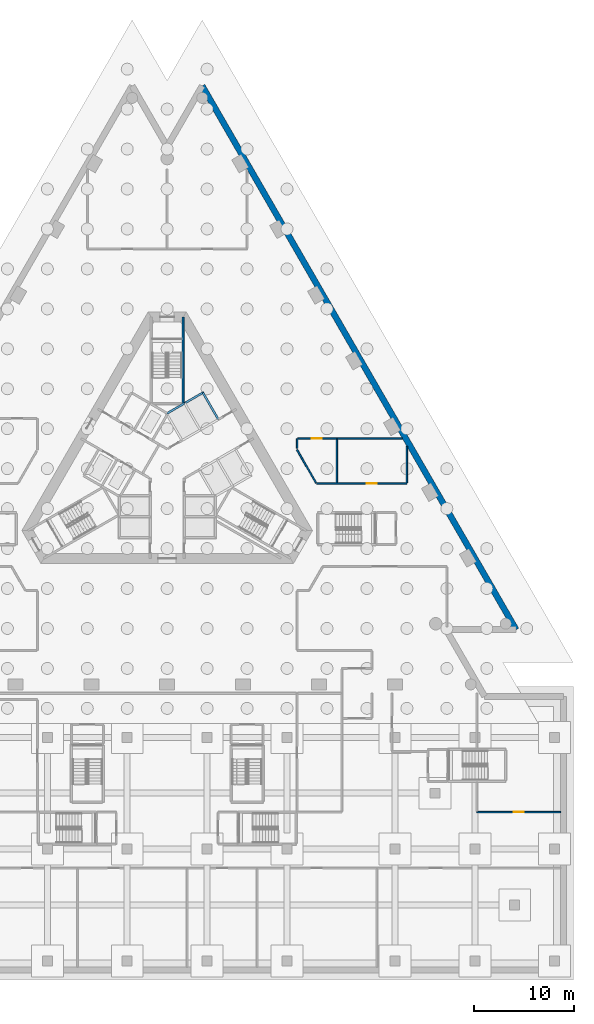
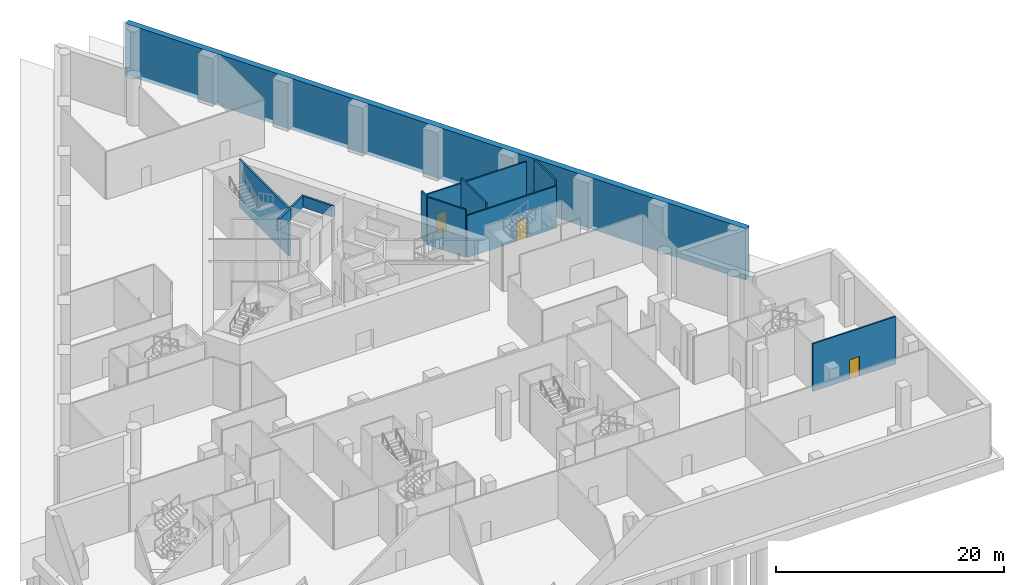
# One storey, part 9 of 20: 12 walls, 3 doors, 3 openings.
"""IFC4 building model written with IfcOpenShell, lengths in metres."""

from ifc_helpers import new_model, si_unit, direction, frame, frame_2d, origin, place, context, subcontext, project, spatial, polyline, rectangle, outline, extrude, material, layer, layer_set, type_object, element, fill, save


model = new_model("IFC4")

# Units and contexts
model_context = context("Model", 3, precision=1e-05, world=origin(), true_north=direction((0.0, 1.0)))
body_context = subcontext(model_context, "Body", "Model", "MODEL_VIEW")
ifc_project = project(units=[si_unit("LENGTHUNIT", "METRE"), si_unit("AREAUNIT", "SQUARE_METRE"), si_unit("VOLUMEUNIT", "CUBIC_METRE"), si_unit("PLANEANGLEUNIT", "RADIAN"), si_unit("MASSUNIT", "GRAM", prefix="KILO")], contexts=[model_context])

# Site, building, storey
site_placement = place(None, origin())
site = spatial("IfcSite", under=ifc_project, at=site_placement, CompositionType="ELEMENT")
building_placement = place(site_placement, origin())
building = spatial("IfcBuilding", under=site, at=building_placement, Name="Triada Interchange Tower", CompositionType="ELEMENT")
storey_placement = place(building_placement, frame((0.0, 0.0, -5.5)))
storey = spatial("IfcBuildingStorey", under=building, at=storey_placement, Name="B1", CompositionType="ELEMENT", Elevation=-5.5)

# Walls
ifc_material_1 = material(Name="Concrete C30/37", Category="concrete")
ifc_layer_1 = layer(ifc_material_1, 0.60009765625)
ifc_layer_set_1 = layer_set([ifc_layer_1], Name="Basement retaining wall 600")
wall_type_1 = type_object("IfcWallType", Name="Basement retaining wall 600", PredefinedType="SOLIDWALL", material=ifc_layer_set_1)
wall_1_placement = place(storey_placement, frame((34.944091796875, -16.125, -0.39990234375), z_axis=(0.0, 0.0, 1.0), x_axis=(-0.500003790369, 0.866023215403, 0.0)))
element("IfcWall", 1, at=wall_1_placement, inside=storey, type_object=wall_type_1, Name="Retaining wall 05", PredefinedType="SOLIDWALL", context=body_context, shape_type="SweptSolid", body=[
    extrude(rectangle(XDim=62.87353515625, YDim=0.60009765625, at=frame_2d((31.436767578125, 0.0))), origin(), (0.0, 0.0, 1.0), 5.5),
])
ifc_layer_2 = layer(ifc_material_1, 0.199951171875)
ifc_layer_set_2 = layer_set([ifc_layer_2], Name="CORE WALL 200 EI 120")
wall_type_2 = type_object("IfcWallType", Name="CORE WALL 200 EI 120", PredefinedType="SOLIDWALL", material=ifc_layer_set_2)
wall_2_placement = place(storey_placement, frame((1.757080078125, 6.556884765625, 3.89990234375), z_axis=(0.0, 0.0, 1.0), x_axis=(-0.866117845619, -0.499839851853, 0.0)))
element("IfcWall", 2, at=wall_2_placement, inside=storey, type_object=wall_type_2, Name="Pit wall LR5 4", PredefinedType="SOLIDWALL", context=body_context, shape_type="SweptSolid", body=[
    extrude(outline(polyline([(2.0, 0.10009765625), (2.0, 0.10009765625), (2.0, 0.10009765625), (2.0, 0.10009765625), (2.0, 0.10009765625), (2.0, 0.10009765625), (2.0, 0.10009765625), (2.0, 0.10009765625), (2.0, 0.10009765625), (2.0, 0.10009765625), (2.199951171875, -0.10009765625), (1.05029296875, -0.10009765625), (-0.09912109375, -0.10009765625), (0.10009765625, 0.10009765625), (0.10009765625, 0.10009765625), (0.10009765625, 0.10009765625), (0.10009765625, 0.10009765625), (0.10009765625, 0.10009765625), (0.10009765625, 0.10009765625), (0.10009765625, 0.10009765625), (0.10009765625, 0.10009765625), (0.10009765625, 0.10009765625), (2.0, 0.10009765625)])), origin(), (0.0, 0.0, 1.0), 1.2001953125),
])
wall_3_placement = place(storey_placement, frame((5.1259765625, 4.922119140625, 3.89990234375), z_axis=(0.0, 0.0, 1.0), x_axis=(-0.49999285859, 0.86602952684, 0.0)))
element("IfcWall", 3, at=wall_3_placement, inside=storey, type_object=wall_type_2, Name="Pit wall LR6 3", PredefinedType="SOLIDWALL", context=body_context, shape_type="SweptSolid", body=[
    extrude(outline(polyline([(3.0, 0.10009765625), (3.199951171875, -0.10009765625), (1.55029296875, -0.10009765625), (-0.09912109375, -0.10009765625), (0.10009765625, 0.10009765625), (0.10009765625, 0.10009765625), (0.10009765625, 0.10009765625), (0.10009765625, 0.10009765625), (0.10009765625, 0.10009765625), (0.10009765625, 0.10009765625), (0.10009765625, 0.10009765625), (0.10107421875, 0.10009765625), (0.10107421875, 0.10009765625), (0.10107421875, 0.10009765625), (1.550537109375, 0.10009765625), (3.0, 0.10009765625)])), origin(), (0.0, 0.0, 1.0), 1.2001953125),
])
wall_4_placement = place(storey_placement, frame((3.575927734375, 7.60693359375, 3.89990234375), z_axis=(0.0, 0.0, 1.0), x_axis=(-0.866038466041, -0.499977374825, 0.0)))
element("IfcWall", 4, at=wall_4_placement, inside=storey, type_object=wall_type_2, Name="Pit wall LR6 4", PredefinedType="SOLIDWALL", context=body_context, shape_type="SweptSolid", body=[
    extrude(outline(polyline([(2.0, 0.10009765625), (2.0, 0.10009765625), (2.0, 0.10009765625), (2.0, -0.10009765625), (0.950439453125, -0.10009765625), (-0.09912109375, -0.10009765625), (0.10009765625, 0.10009765625), (0.10009765625, 0.10009765625), (0.10009765625, 0.10009765625), (0.10009765625, 0.10009765625), (0.10009765625, 0.10009765625), (0.10009765625, 0.10009765625), (0.10009765625, 0.10009765625), (0.10009765625, 0.10009765625), (0.10009765625, 0.10009765625), (2.0, 0.10009765625)])), origin(), (0.0, 0.0, 1.0), 1.2001953125),
])
ifc_layer_3 = layer(ifc_material_1, 0.199951171875)
ifc_layer_set_3 = layer_set([ifc_layer_3], Name="CORE WALL 200 REI 240")
wall_type_3 = type_object("IfcWallType", Name="CORE WALL 200 REI 240", PredefinedType="SOLIDWALL", material=ifc_layer_set_3)
wall_5_placement = place(storey_placement, frame((1.60009765625, 6.5, 0.0), z_axis=(0.0, 0.0, 1.0), x_axis=(0.0, 1.0, 0.0)))
element("IfcWall", 5, at=wall_5_placement, inside=storey, type_object=wall_type_3, Name="Wall B1 120", PredefinedType="SOLIDWALL", context=body_context, shape_type="SweptSolid", body=[
    extrude(rectangle(XDim=8.679931640625, YDim=0.199951171875, at=frame_2d((4.33984375, 0.0))), origin(), (0.0, 0.0, 1.0), 5.10009765625),
])

# Wall, opening, door
ifc_material_2 = material(Name="Gypsum board partition")
ifc_layer_4 = layer(ifc_material_2, 0.14990234375)
ifc_layer_set_4 = layer_set([ifc_layer_4], Name="PARTITION 150 EI 180")
wall_type_4 = type_object("IfcWallType", Name="PARTITION 150 EI 180", PredefinedType="PARTITIONING", material=ifc_layer_set_4)
wall_6_placement = place(storey_placement, frame((31.0, -34.39990234375, 0.0), z_axis=(0.0, 0.0, 1.0), x_axis=(1.0, 0.0, 0.0)))
wall_6 = element("IfcWall", 6, at=wall_6_placement, inside=storey, type_object=wall_type_4, Name="Wall B1 21", PredefinedType="PARTITIONING", context=body_context, shape_type="SweptSolid", body=[
    extrude(rectangle(XDim=8.39990234375, YDim=0.14990234375, at=frame_2d((4.199951171875, 0.0))), origin(), (0.0, 0.0, 1.0), 5.10009765625),
])
opening_1_placement = place(wall_6_placement, frame((3.699951171875, 0.0, 0.0)))
opening_1 = element("IfcOpeningElement", 7, at=opening_1_placement, cuts=wall_6, Name="Opening D1-35", PredefinedType="OPENING", context=body_context, shape_type="SweptSolid", body=[
    extrude(rectangle(XDim=1.0, YDim=2.10009765625, at=frame_2d((0.5, 1.050048828125))), frame((0.0, 0.0849609375, 0.0), z_axis=(0.0, -1.0, 0.0), x_axis=(1.0, 0.0, 0.0)), (0.0, 0.0, 1.0), 0.169921875),
])
ifc_material_3 = material(Name="Steel S235 door leaf", Category="steel")
door_type = type_object("IfcDoorType", Name="ROOM DOOR 1000 EI2 45-C5S200", OperationType="NOTDEFINED", PredefinedType="DOOR", material=ifc_material_3)
door_1_placement = place(opening_1_placement, origin())
door_1 = element("IfcDoor", 8, at=door_1_placement, inside=storey, type_object=door_type, Name="Door D1-35 B1", OperationType="SINGLE_SWING_RIGHT", OverallHeight=2.10009765625, OverallWidth=1.0, PredefinedType="DOOR", context=body_context, shape_type="SweptSolid", body=[
    extrude(rectangle(XDim=1.0, YDim=2.10009765625, at=frame_2d((0.5, 1.050048828125))), frame((0.0, 0.02490234375, 0.0), z_axis=(0.0, -1.0, 0.0), x_axis=(1.0, 0.0, 0.0)), (0.0, 0.0, 1.0), 0.050048828125),
])
fill(opening_1, door_1)

ifc_layer_5 = layer(ifc_material_2, 0.14990234375)
ifc_layer_set_5 = layer_set([ifc_layer_5], Name="PARTITION 150 EI 90")
wall_type_5 = type_object("IfcWallType", Name="PARTITION 150 EI 90", PredefinedType="PARTITIONING", material=ifc_layer_set_5)
wall_7_placement = place(storey_placement, frame((14.952880859375, -1.5, 0.0), z_axis=(0.0, 0.0, 1.0), x_axis=(1.0, 0.0, 0.0)))
wall_7 = element("IfcWall", 9, at=wall_7_placement, inside=storey, type_object=wall_type_5, Name="Wall B1 69", PredefinedType="PARTITIONING", context=body_context, shape_type="SweptSolid", body=[
    extrude(rectangle(XDim=9.047119140625, YDim=0.14990234375, at=frame_2d((4.5234375, 0.0))), origin(), (0.0, 0.0, 1.0), 4.5),
])
opening_2_placement = place(wall_7_placement, frame((5.047119140625, 0.0, 0.0)))
opening_2 = element("IfcOpeningElement", 10, at=opening_2_placement, cuts=wall_7, Name="Opening D1-41", PredefinedType="OPENING", context=body_context, shape_type="SweptSolid", body=[
    extrude(rectangle(XDim=1.0, YDim=2.10009765625, at=frame_2d((0.5, 1.050048828125))), frame((0.0, 0.0849609375, 0.0), z_axis=(0.0, -1.0, 0.0), x_axis=(1.0, 0.0, 0.0)), (0.0, 0.0, 1.0), 0.169921875),
])
door_2_placement = place(opening_2_placement, origin())
door_2 = element("IfcDoor", 11, at=door_2_placement, inside=storey, type_object=door_type, Name="Door D1-41 B1", OperationType="SINGLE_SWING_RIGHT", OverallHeight=2.10009765625, OverallWidth=1.0, PredefinedType="DOOR", context=body_context, shape_type="SweptSolid", body=[
    extrude(rectangle(XDim=1.0, YDim=2.10009765625, at=frame_2d((0.5, 1.050048828125))), frame((0.0, 0.02490234375, 0.0), z_axis=(0.0, -1.0, 0.0), x_axis=(1.0, 0.0, 0.0)), (0.0, 0.0, 1.0), 0.050048828125),
])
fill(opening_2, door_2)

# Walls
wall_8_placement = place(storey_placement, frame((24.0, -1.425048828125, 0.0), z_axis=(0.0, 0.0, 1.0), x_axis=(0.0, 1.0, 0.0)))
element("IfcWall", 12, at=wall_8_placement, inside=storey, type_object=wall_type_5, Name="Wall B1 80", PredefinedType="PARTITIONING", context=body_context, shape_type="SweptSolid", body=[
    extrude(rectangle(XDim=3.656005859375, YDim=0.14990234375, at=frame_2d((1.828125, 0.0))), origin(), (0.0, 0.0, 1.0), 5.10009765625),
])
wall_9_placement = place(storey_placement, frame((17.0, -1.425048828125, 0.0), z_axis=(0.0, 0.0, 1.0), x_axis=(0.0, 1.0, 0.0)))
element("IfcWall", 13, at=wall_9_placement, inside=storey, type_object=wall_type_5, Name="Wall B1 81", PredefinedType="PARTITIONING", context=body_context, shape_type="SweptSolid", body=[
    extrude(rectangle(XDim=4.35009765625, YDim=0.14990234375, at=frame_2d((2.175048828125, 0.0))), origin(), (0.0, 0.0, 1.0), 5.10009765625),
])
wall_10_placement = place(storey_placement, frame((13.0, 1.883056640625, 0.0), z_axis=(0.0, 0.0, 1.0), x_axis=(0.499995391149, -0.86602806469, 0.0)))
element("IfcWall", 14, at=wall_10_placement, inside=storey, type_object=wall_type_5, Name="Wall B1 82", PredefinedType="PARTITIONING", context=body_context, shape_type="SweptSolid", body=[
    extrude(rectangle(XDim=3.81982421875, YDim=0.14990234375, at=frame_2d((1.909912109375, 0.0))), origin(), (0.0, 0.0, 1.0), 5.10009765625),
])
wall_11_placement = place(storey_placement, frame((13.0, 2.032958984375, 0.0), z_axis=(0.0, 0.0, 1.0), x_axis=(0.0, 1.0, 0.0)))
element("IfcWall", 15, at=wall_11_placement, inside=storey, type_object=wall_type_5, Name="Wall B1 84", PredefinedType="PARTITIONING", context=body_context, shape_type="SweptSolid", body=[
    extrude(rectangle(XDim=0.967041015625, YDim=0.14990234375, at=frame_2d((0.4833984375, 0.0))), origin(), (0.0, 0.0, 1.0), 5.10009765625),
])

# Wall, opening, door
wall_12_placement = place(storey_placement, frame((13.074951171875, 3.0, 0.0), z_axis=(0.0, 0.0, 1.0), x_axis=(1.0, 0.0, 0.0)))
wall_12 = element("IfcWall", 16, at=wall_12_placement, inside=storey, type_object=wall_type_5, Name="Wall B1 85", PredefinedType="PARTITIONING", context=body_context, shape_type="SweptSolid", body=[
    extrude(rectangle(XDim=10.48095703125, YDim=0.14990234375, at=frame_2d((5.240478515625, 0.0))), origin(), (0.0, 0.0, 1.0), 4.550048828125),
])
opening_3_placement = place(wall_12_placement, frame((1.425048828125, 0.0, 0.0)))
opening_3 = element("IfcOpeningElement", 17, at=opening_3_placement, cuts=wall_12, Name="Opening D1-40", PredefinedType="OPENING", context=body_context, shape_type="SweptSolid", body=[
    extrude(rectangle(XDim=1.0, YDim=2.10009765625, at=frame_2d((0.5, 1.050048828125))), frame((0.0, 0.0849609375, 0.0), z_axis=(0.0, -1.0, 0.0), x_axis=(1.0, 0.0, 0.0)), (0.0, 0.0, 1.0), 0.169921875),
])
door_3_placement = place(opening_3_placement, origin())
door_3 = element("IfcDoor", 18, at=door_3_placement, inside=storey, type_object=door_type, Name="Door D1-40 B1", OperationType="SINGLE_SWING_LEFT", OverallHeight=2.10009765625, OverallWidth=1.0, PredefinedType="DOOR", context=body_context, shape_type="SweptSolid", body=[
    extrude(rectangle(XDim=1.0, YDim=2.10009765625, at=frame_2d((0.5, 1.050048828125))), frame((0.0, 0.02490234375, 0.0), z_axis=(0.0, -1.0, 0.0), x_axis=(1.0, 0.0, 0.0)), (0.0, 0.0, 1.0), 0.050048828125),
])
fill(opening_3, door_3)

save(model, "model.ifc")
